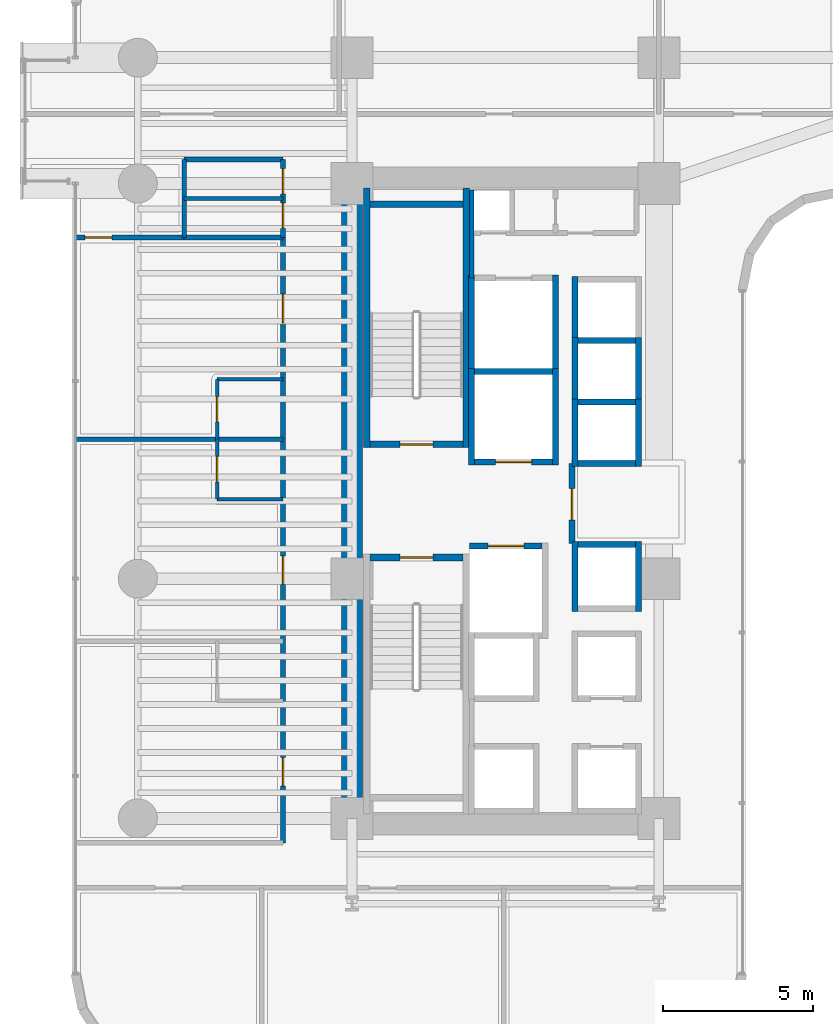
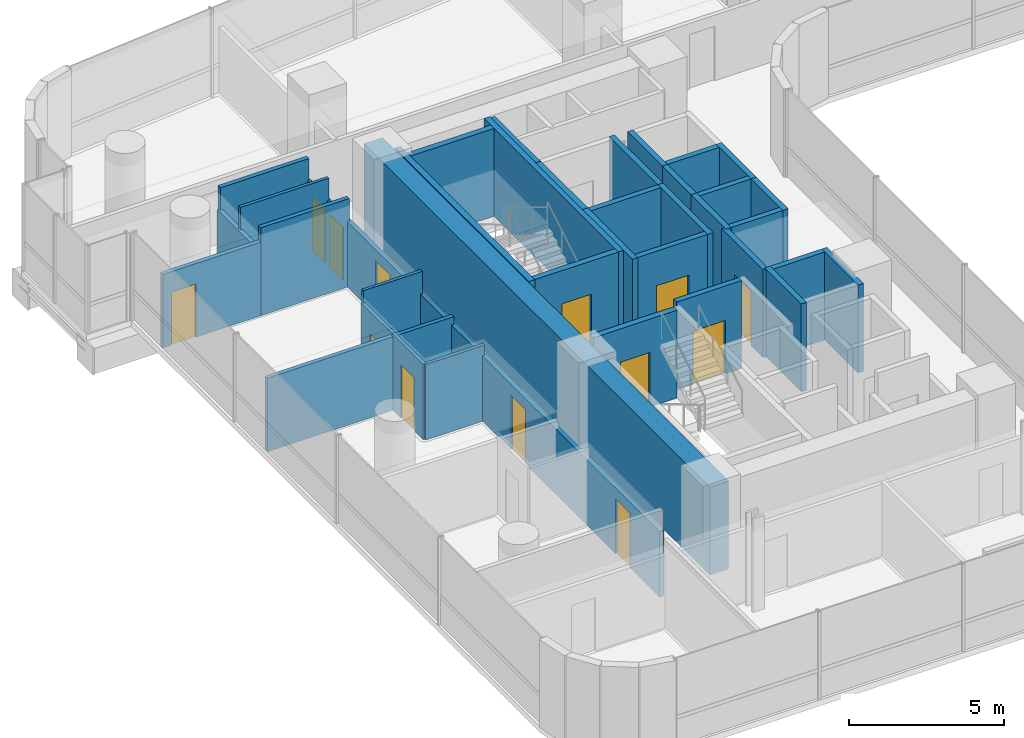
# One storey, part 32 of 41: 38 walls, 13 doors, 13 openings.
"""IFC4 building model written with IfcOpenShell, lengths in metres."""

from ifc_helpers import new_model, si_unit, direction, frame, frame_2d, origin, place, context, subcontext, project, spatial, rectangle, extrude, material, layer, layer_set, type_object, element, fill, save


model = new_model("IFC4")

# Units and contexts
model_context = context("Model", 3, precision=1e-05, world=origin(), true_north=direction((0.0, 1.0)))
body_context = subcontext(model_context, "Body", "Model", "MODEL_VIEW")
ifc_project = project(units=[si_unit("LENGTHUNIT", "METRE"), si_unit("AREAUNIT", "SQUARE_METRE"), si_unit("VOLUMEUNIT", "CUBIC_METRE"), si_unit("PLANEANGLEUNIT", "RADIAN"), si_unit("MASSUNIT", "GRAM", prefix="KILO")], contexts=[model_context])

# Site, building, storey
site_placement = place(None, origin())
site = spatial("IfcSite", under=ifc_project, at=site_placement, CompositionType="ELEMENT")
building_placement = place(site_placement, origin())
building = spatial("IfcBuilding", under=site, at=building_placement, Name="Valdorenza Pilgrim Sanctuary Tower", CompositionType="ELEMENT")
storey_placement = place(building_placement, frame((0.0, 0.0, 88.89990234375)))
storey = spatial("IfcBuildingStorey", under=building, at=storey_placement, Name="L22", CompositionType="ELEMENT", Elevation=88.89990234375)

# Walls
ifc_material_1 = material(Name="Acoustic twin-stud gypsum partition", Category="gypsum")
ifc_layer_1 = layer(ifc_material_1, 0.159912109375, Name="Acoustic twin-stud gypsum partition")
ifc_layer_set_1 = layer_set([ifc_layer_1], Name="Acoustic twin-stud gypsum partition")
wall_type_1 = type_object("IfcWallType", Name="WAL-COR-160", PredefinedType="PARTITIONING", material=ifc_layer_set_1)
wall_1_placement = place(storey_placement, frame((-18.64990234375, 7.449951171875, 0.0), z_axis=(0.0, 0.0, 1.0), x_axis=(0.0, 1.0, 0.0)))
element("IfcWall", 1, at=wall_1_placement, inside=storey, type_object=wall_type_1, Name="L22 Core A North Service West Wall", PredefinedType="PARTITIONING", context=body_context, shape_type="SweptSolid", body=[
    extrude(rectangle(XDim=2.929931640625, YDim=0.159912109375, at=frame_2d((1.46484375, 0.0))), origin(), (0.0, 0.0, 1.0), 3.460205078125),
])
wall_2_placement = place(storey_placement, frame((-28.25, 8.800048828125, 0.0), z_axis=(0.0, 0.0, 1.0), x_axis=(0.0, 1.0, 0.0)))
element("IfcWall", 2, at=wall_2_placement, inside=storey, type_object=wall_type_1, Name="L22 Washroom West Wall", PredefinedType="PARTITIONING", context=body_context, shape_type="SweptSolid", body=[
    extrude(rectangle(XDim=2.599853515625, YDim=0.159912109375, at=frame_2d((1.2998046875, 0.0))), origin(), (0.0, 0.0, 1.0), 2.5830078125),
])

# Wall, openings, doors
wall_3_placement = place(storey_placement, frame((-24.949951171875, 8.800048828125, 0.0), z_axis=(0.0, 0.0, 1.0), x_axis=(0.0, 1.0, 0.0)))
wall_3 = element("IfcWall", 3, at=wall_3_placement, inside=storey, type_object=wall_type_1, Name="L22 Washroom East Wall", PredefinedType="PARTITIONING", context=body_context, shape_type="SweptSolid", body=[
    extrude(rectangle(XDim=2.599853515625, YDim=0.159912109375, at=frame_2d((1.2998046875, 0.0))), origin(), (0.0, 0.0, 1.0), 2.5830078125),
])
opening_1_placement = place(wall_3_placement, frame((0.300048828125, 0.0, 0.0)))
opening_1 = element("IfcOpeningElement", 4, at=opening_1_placement, cuts=wall_3, Name="Opening DR-WC1", PredefinedType="OPENING", context=body_context, shape_type="SweptSolid", body=[
    extrude(rectangle(XDim=0.85009765625, YDim=2.10009765625, at=frame_2d((0.425048828125, 1.050048828125))), frame((0.0, 0.0947265625, 0.0), z_axis=(0.0, -1.0, 0.0), x_axis=(1.0, 0.0, 0.0)), (0.0, 0.0, 1.0), 0.189697265625),
])
opening_2_placement = place(wall_3_placement, frame((1.449951171875, 0.0, 0.0)))
opening_2 = element("IfcOpeningElement", 5, at=opening_2_placement, cuts=wall_3, Name="Opening DR-WC1", PredefinedType="OPENING", context=body_context, shape_type="SweptSolid", body=[
    extrude(rectangle(XDim=0.85009765625, YDim=2.10009765625, at=frame_2d((0.425048828125, 1.050048828125))), frame((0.0, 0.0947265625, 0.0), z_axis=(0.0, -1.0, 0.0), x_axis=(1.0, 0.0, 0.0)), (0.0, 0.0, 1.0), 0.189697265625),
])
ifc_material_2 = material(Name="Moisture-resistant lacquered timber", Category="wood")
door_type_1 = type_object("IfcDoorType", Name="DR-BATH-850", OperationType="NOTDEFINED", PredefinedType="DOOR", material=ifc_material_2)
door_1_placement = place(opening_1_placement, origin())
door_1 = element("IfcDoor", 6, at=door_1_placement, inside=storey, type_object=door_type_1, Name="L22 Accessible Washroom Door", OperationType="SINGLE_SWING_RIGHT", OverallHeight=2.10009765625, OverallWidth=0.85009765625, PredefinedType="DOOR", context=body_context, shape_type="SweptSolid", body=[
    extrude(rectangle(XDim=0.85009765625, YDim=2.10009765625, at=frame_2d((0.425048828125, 1.050048828125))), frame((0.0, 0.02490234375, 0.0), z_axis=(0.0, -1.0, 0.0), x_axis=(1.0, 0.0, 0.0)), (0.0, 0.0, 1.0), 0.050048828125),
])
fill(opening_1, door_1)
door_2_placement = place(opening_2_placement, origin())
door_2 = element("IfcDoor", 7, at=door_2_placement, inside=storey, type_object=door_type_1, Name="L22 Public Washroom Door", OperationType="SINGLE_SWING_LEFT", OverallHeight=2.10009765625, OverallWidth=0.85009765625, PredefinedType="DOOR", context=body_context, shape_type="SweptSolid", body=[
    extrude(rectangle(XDim=0.85009765625, YDim=2.10009765625, at=frame_2d((0.425048828125, 1.050048828125))), frame((0.0, 0.02490234375, 0.0), z_axis=(0.0, -1.0, 0.0), x_axis=(1.0, 0.0, 0.0)), (0.0, 0.0, 1.0), 0.050048828125),
])
fill(opening_2, door_2)

# Walls
for number, where, z_axis, x_axis, name in (
    (8, (-28.25, 8.800048828125, 0.0), (0.0, 0.0, 1.0), (1.0, 0.0, 0.0), "L22 Washroom South Wall"),
    (9, (-28.25, 11.39990234375, 0.0), (0.0, 0.0, 1.0), (1.0, 0.0, 0.0), "L22 Washroom North Wall"),
):
    element("IfcWall", number, at=place(storey_placement, frame(where, z_axis=z_axis, x_axis=x_axis)), inside=storey, type_object=wall_type_1, Name=name, PredefinedType="PARTITIONING", context=body_context, shape_type="SweptSolid", body=[
        extrude(rectangle(XDim=3.300048828125, YDim=0.159912109375, at=frame_2d((1.64990234375, 0.0))), origin(), (0.0, 0.0, 1.0), 3.460205078125),
    ])

# Wall, openings, doors
wall_4_placement = place(storey_placement, frame((-24.949951171875, -11.419921875, 0.0), z_axis=(0.0, 0.0, 1.0), x_axis=(0.0, 1.0, 0.0)))
wall_4 = element("IfcWall", 10, at=wall_4_placement, inside=storey, type_object=wall_type_1, Name="L22 West Wing Corridor Wall", PredefinedType="PARTITIONING", context=body_context, shape_type="SweptSolid", body=[
    extrude(rectangle(XDim=20.219970703125, YDim=0.159912109375, at=frame_2d((10.10986328125, 0.0))), origin(), (0.0, 0.0, 1.0), 2.5830078125),
])
opening_3_placement = place(wall_4_placement, frame((1.89501953125, 0.0, 0.0)))
opening_3 = element("IfcOpeningElement", 11, at=opening_3_placement, cuts=wall_4, Name="Opening DR-UN1", PredefinedType="OPENING", context=body_context, shape_type="SweptSolid", body=[
    extrude(rectangle(XDim=0.949951171875, YDim=2.14990234375, at=frame_2d((0.47509765625, 1.074951171875))), frame((0.0, 0.0947265625, 0.0), z_axis=(0.0, -1.0, 0.0), x_axis=(1.0, 0.0, 0.0)), (0.0, 0.0, 1.0), 0.189697265625),
])
opening_4_placement = place(wall_4_placement, frame((8.635009765625, 0.0, 0.0)))
opening_4 = element("IfcOpeningElement", 12, at=opening_4_placement, cuts=wall_4, Name="Opening DR-UN1", PredefinedType="OPENING", context=body_context, shape_type="SweptSolid", body=[
    extrude(rectangle(XDim=0.949951171875, YDim=2.14990234375, at=frame_2d((0.47509765625, 1.074951171875))), frame((0.0, 0.0947265625, 0.0), z_axis=(0.0, -1.0, 0.0), x_axis=(1.0, 0.0, 0.0)), (0.0, 0.0, 1.0), 0.189697265625),
])
opening_5_placement = place(wall_4_placement, frame((17.375, 0.0, 0.0)))
opening_5 = element("IfcOpeningElement", 13, at=opening_5_placement, cuts=wall_4, Name="Opening DR-UN1", PredefinedType="OPENING", context=body_context, shape_type="SweptSolid", body=[
    extrude(rectangle(XDim=0.949951171875, YDim=2.14990234375, at=frame_2d((0.47509765625, 1.074951171875))), frame((0.0, 0.0947265625, 0.0), z_axis=(0.0, -1.0, 0.0), x_axis=(1.0, 0.0, 0.0)), (0.0, 0.0, 1.0), 0.189697265625),
])
ifc_material_3 = material(Name="Solid-core European oak timber", Category="wood")
door_type_2 = type_object("IfcDoorType", Name="DR-UNIT-950", OperationType="NOTDEFINED", PredefinedType="DOOR", material=ifc_material_3)
door_3_placement = place(opening_3_placement, frame((0.949951171875, 0.0, 0.0), z_axis=(0.0, 0.0, 1.0), x_axis=(-1.0, 0.0, 0.0)))
door_3 = element("IfcDoor", 14, at=door_3_placement, inside=storey, type_object=door_type_2, Name="L22 Sanctuary Guest Room L22-W1 Entrance Door", OperationType="SINGLE_SWING_LEFT", OverallHeight=2.14990234375, OverallWidth=0.949951171875, PredefinedType="DOOR", context=body_context, shape_type="SweptSolid", body=[
    extrude(rectangle(XDim=0.949951171875, YDim=2.14990234375, at=frame_2d((0.47509765625, 1.074951171875))), frame((0.0, 0.02490234375, 0.0), z_axis=(0.0, -1.0, 0.0), x_axis=(1.0, 0.0, 0.0)), (0.0, 0.0, 1.0), 0.050048828125),
])
fill(opening_3, door_3)
door_4_placement = place(opening_4_placement, frame((0.949951171875, 0.0, 0.0), z_axis=(0.0, 0.0, 1.0), x_axis=(-1.0, 0.0, 0.0)))
door_4 = element("IfcDoor", 15, at=door_4_placement, inside=storey, type_object=door_type_2, Name="L22 Sanctuary Guest Room L22-W2 Entrance Door", OperationType="SINGLE_SWING_LEFT", OverallHeight=2.14990234375, OverallWidth=0.949951171875, PredefinedType="DOOR", context=body_context, shape_type="SweptSolid", body=[
    extrude(rectangle(XDim=0.949951171875, YDim=2.14990234375, at=frame_2d((0.47509765625, 1.074951171875))), frame((0.0, 0.02490234375, 0.0), z_axis=(0.0, -1.0, 0.0), x_axis=(1.0, 0.0, 0.0)), (0.0, 0.0, 1.0), 0.050048828125),
])
fill(opening_4, door_4)
door_5_placement = place(opening_5_placement, frame((0.949951171875, 0.0, 0.0), z_axis=(0.0, 0.0, 1.0), x_axis=(-1.0, 0.0, 0.0)))
door_5 = element("IfcDoor", 16, at=door_5_placement, inside=storey, type_object=door_type_2, Name="L22 Sanctuary Guest Room L22-W3 Entrance Door", OperationType="SINGLE_SWING_LEFT", OverallHeight=2.14990234375, OverallWidth=0.949951171875, PredefinedType="DOOR", context=body_context, shape_type="SweptSolid", body=[
    extrude(rectangle(XDim=0.949951171875, YDim=2.14990234375, at=frame_2d((0.47509765625, 1.074951171875))), frame((0.0, 0.02490234375, 0.0), z_axis=(0.0, -1.0, 0.0), x_axis=(1.0, 0.0, 0.0)), (0.0, 0.0, 1.0), 0.050048828125),
])
fill(opening_5, door_5)

# Wall, opening, door
wall_5_placement = place(storey_placement, frame((-31.889892578125, 8.800048828125, 0.0), z_axis=(0.0, 0.0, 1.0), x_axis=(1.0, 0.0, 0.0)))
wall_5 = element("IfcWall", 17, at=wall_5_placement, inside=storey, type_object=wall_type_1, Name="L22 West North Alcove Wall", PredefinedType="PARTITIONING", context=body_context, shape_type="SweptSolid", body=[
    extrude(rectangle(XDim=3.639892578125, YDim=0.159912109375, at=frame_2d((1.81982421875, 0.0))), origin(), (0.0, 0.0, 1.0), 2.89599609375),
])
opening_6_placement = place(wall_5_placement, frame((0.320068359375, 0.0, 0.0)))
opening_6 = element("IfcOpeningElement", 18, at=opening_6_placement, cuts=wall_5, Name="Opening DR-RM1", PredefinedType="OPENING", context=body_context, shape_type="SweptSolid", body=[
    extrude(rectangle(XDim=0.89990234375, YDim=2.10009765625, at=frame_2d((0.449951171875, 1.050048828125))), frame((0.0, 0.0947265625, 0.0), z_axis=(0.0, -1.0, 0.0), x_axis=(1.0, 0.0, 0.0)), (0.0, 0.0, 1.0), 0.189697265625),
])
door_type_3 = type_object("IfcDoorType", Name="DR-ROOM-900", OperationType="NOTDEFINED", PredefinedType="DOOR", material=ifc_material_3)
door_6_placement = place(opening_6_placement, origin())
door_6 = element("IfcDoor", 19, at=door_6_placement, inside=storey, type_object=door_type_3, Name="L22 Pilgrim Scholar Office L22-WN Door", OperationType="SINGLE_SWING_RIGHT", OverallHeight=2.10009765625, OverallWidth=0.89990234375, PredefinedType="DOOR", context=body_context, shape_type="SweptSolid", body=[
    extrude(rectangle(XDim=0.89990234375, YDim=2.10009765625, at=frame_2d((0.449951171875, 1.050048828125))), frame((0.0, 0.02490234375, 0.0), z_axis=(0.0, -1.0, 0.0), x_axis=(1.0, 0.0, 0.0)), (0.0, 0.0, 1.0), 0.050048828125),
])
fill(opening_6, door_6)

# Wall
ifc_material_4 = material(Name="Concrete C60/75", Category="concrete")
ifc_layer_2 = layer(ifc_material_4, 0.699951171875, Name="Concrete C60/75")
ifc_layer_set_2 = layer_set([ifc_layer_2], Name="Concrete C60/75")
wall_type_2 = type_object("IfcWallType", Name="WAL-COR-700", PredefinedType="SHEAR", material=ifc_layer_set_2)
wall_6_placement = place(storey_placement, frame((-22.64990234375, -11.14990234375, 0.0), z_axis=(0.0, 0.0, 1.0), x_axis=(0.0, 1.0, 0.0)))
element("IfcWall", 20, at=wall_6_placement, inside=storey, type_object=wall_type_2, Name="L22 Split Core A Shear Wall W", PredefinedType="SHEAR", context=body_context, shape_type="SweptSolid", body=[
    extrude(rectangle(XDim=22.2998046875, YDim=0.699951171875, at=frame_2d((11.14990234375, 0.0))), origin(), (0.0, 0.0, 1.0), 3.460205078125),
])

# Wall, opening, door
ifc_material_5 = material(Name="Gypsum shaftwall partition", Category="gypsum")
ifc_layer_3 = layer(ifc_material_5, 0.199951171875, Name="Gypsum shaftwall partition")
ifc_layer_set_3 = layer_set([ifc_layer_3], Name="Gypsum shaftwall partition")
wall_type_3 = type_object("IfcWallType", Name="WAL-FFL-200", PredefinedType="PARTITIONING", material=ifc_layer_set_3)
wall_7_placement = place(storey_placement, frame((-15.300048828125, -1.419921875, 0.0), z_axis=(0.0, 0.0, 1.0), x_axis=(0.0, 1.0, 0.0)))
wall_7 = element("IfcWall", 21, at=wall_7_placement, inside=storey, type_object=wall_type_3, Name="L22 Core A Firefighting Lobby East Wall", PredefinedType="PARTITIONING", context=body_context, shape_type="SweptSolid", body=[
    extrude(rectangle(XDim=2.669921875, YDim=0.199951171875, at=frame_2d((1.3349609375, 0.0))), origin(), (0.0, 0.0, 1.0), 3.460205078125),
])
opening_7_placement = place(wall_7_placement, frame((0.780029296875, 0.0, 0.0)))
opening_7 = element("IfcOpeningElement", 22, at=opening_7_placement, cuts=wall_7, Name="Opening DR-FL1", PredefinedType="OPENING", context=body_context, shape_type="SweptSolid", body=[
    extrude(rectangle(XDim=1.050048828125, YDim=2.14990234375, at=frame_2d((0.52490234375, 1.074951171875))), frame((0.0, 0.11474609375, 0.0), z_axis=(0.0, -1.0, 0.0), x_axis=(1.0, 0.0, 0.0)), (0.0, 0.0, 1.0), 0.229736328125),
])
ifc_material_6 = material(Name="Painted galvanized steel", Category="steel")
door_type_4 = type_object("IfcDoorType", Name="DR-FFL-1050", OperationType="NOTDEFINED", PredefinedType="DOOR", material=ifc_material_6)
door_7_placement = place(opening_7_placement, origin())
door_7 = element("IfcDoor", 23, at=door_7_placement, inside=storey, type_object=door_type_4, Name="L22 Core A Firefighting Lobby Door", OperationType="SINGLE_SWING_RIGHT", OverallHeight=2.14990234375, OverallWidth=1.050048828125, PredefinedType="DOOR", context=body_context, shape_type="SweptSolid", body=[
    extrude(rectangle(XDim=1.050048828125, YDim=2.14990234375, at=frame_2d((0.52490234375, 1.074951171875))), frame((0.0, 0.02490234375, 0.0), z_axis=(0.0, -1.0, 0.0), x_axis=(1.0, 0.0, 0.0)), (0.0, 0.0, 1.0), 0.050048828125),
])
fill(opening_7, door_7)

# Walls
ifc_material_7 = material(Name="Moisture-resistant gypsum partition", Category="gypsum")
ifc_layer_4 = layer(ifc_material_7, 0.1201171875, Name="Moisture-resistant gypsum partition")
ifc_layer_set_4 = layer_set([ifc_layer_4], Name="Moisture-resistant gypsum partition")
wall_type_4 = type_object("IfcWallType", Name="WAL-INT-120", PredefinedType="PARTITIONING", material=ifc_layer_set_4)
wall_8_placement = place(storey_placement, frame((-28.25, 10.10009765625, 0.0), z_axis=(0.0, 0.0, 1.0), x_axis=(1.0, 0.0, 0.0)))
element("IfcWall", 24, at=wall_8_placement, inside=storey, type_object=wall_type_4, Name="L22 Washroom Divider Wall", PredefinedType="PARTITIONING", context=body_context, shape_type="SweptSolid", body=[
    extrude(rectangle(XDim=3.300048828125, YDim=0.1201171875, at=frame_2d((1.64990234375, 0.0))), origin(), (0.0, 0.0, 1.0), 3.460205078125),
])
wall_9_placement = place(storey_placement, frame((-27.14990234375, 0.06005859375, 0.0), z_axis=(0.0, 0.0, 1.0), x_axis=(1.0, 0.0, 0.0)))
element("IfcWall", 25, at=wall_9_placement, inside=storey, type_object=wall_type_4, Name="L22 Sanctuary Guest Room L22-W2 En-suite South Wall", PredefinedType="PARTITIONING", context=body_context, shape_type="SweptSolid", body=[
    extrude(rectangle(XDim=2.199951171875, YDim=0.1201171875, at=frame_2d((1.10009765625, 0.0))), origin(), (0.0, 0.0, 1.0), 2.97900390625),
])

# Wall, opening, door
wall_10_placement = place(storey_placement, frame((-27.14990234375, 0.06005859375, 0.0), z_axis=(0.0, 0.0, 1.0), x_axis=(0.0, 1.0, 0.0)))
wall_10 = element("IfcWall", 26, at=wall_10_placement, inside=storey, type_object=wall_type_4, Name="L22 Sanctuary Guest Room L22-W2 En-suite Door Wall", PredefinedType="PARTITIONING", context=body_context, shape_type="SweptSolid", body=[
    extrude(rectangle(XDim=2.0, YDim=0.1201171875, at=frame_2d((1.0, 0.0))), origin(), (0.0, 0.0, 1.0), 2.97900390625),
])
opening_8_placement = place(wall_10_placement, frame((0.574951171875, 0.0, 0.0)))
opening_8 = element("IfcOpeningElement", 27, at=opening_8_placement, cuts=wall_10, Name="Opening DR-WC1", PredefinedType="OPENING", context=body_context, shape_type="SweptSolid", body=[
    extrude(rectangle(XDim=0.85009765625, YDim=2.10009765625, at=frame_2d((0.425048828125, 1.050048828125))), frame((0.0, 0.074951171875, 0.0), z_axis=(0.0, -1.0, 0.0), x_axis=(1.0, 0.0, 0.0)), (0.0, 0.0, 1.0), 0.14990234375),
])
door_8_placement = place(opening_8_placement, origin())
door_8 = element("IfcDoor", 28, at=door_8_placement, inside=storey, type_object=door_type_1, Name="L22 Sanctuary Guest Room L22-W2 En-suite Bathroom Door", OperationType="SINGLE_SWING_RIGHT", OverallHeight=2.10009765625, OverallWidth=0.85009765625, PredefinedType="DOOR", context=body_context, shape_type="SweptSolid", body=[
    extrude(rectangle(XDim=0.85009765625, YDim=2.10009765625, at=frame_2d((0.425048828125, 1.050048828125))), frame((0.0, 0.02490234375, 0.0), z_axis=(0.0, -1.0, 0.0), x_axis=(1.0, 0.0, 0.0)), (0.0, 0.0, 1.0), 0.050048828125),
])
fill(opening_8, door_8)

# Wall
wall_11_placement = place(storey_placement, frame((-27.14990234375, 4.06005859375, 0.0), z_axis=(0.0, 0.0, 1.0), x_axis=(1.0, 0.0, 0.0)))
element("IfcWall", 29, at=wall_11_placement, inside=storey, type_object=wall_type_4, Name="L22 Sanctuary Guest Room L22-W3 En-suite North Wall", PredefinedType="PARTITIONING", context=body_context, shape_type="SweptSolid", body=[
    extrude(rectangle(XDim=2.199951171875, YDim=0.1201171875, at=frame_2d((1.10009765625, 0.0))), origin(), (0.0, 0.0, 1.0), 3.460205078125),
])

# Wall, opening, door
wall_12_placement = place(storey_placement, frame((-27.14990234375, 2.06005859375, 0.0), z_axis=(0.0, 0.0, 1.0), x_axis=(0.0, 1.0, 0.0)))
wall_12 = element("IfcWall", 30, at=wall_12_placement, inside=storey, type_object=wall_type_4, Name="L22 Sanctuary Guest Room L22-W3 En-suite Door Wall", PredefinedType="PARTITIONING", context=body_context, shape_type="SweptSolid", body=[
    extrude(rectangle(XDim=2.0, YDim=0.1201171875, at=frame_2d((1.0, 0.0))), origin(), (0.0, 0.0, 1.0), 2.97900390625),
])
opening_9_placement = place(wall_12_placement, frame((0.574951171875, 0.0, 0.0)))
opening_9 = element("IfcOpeningElement", 31, at=opening_9_placement, cuts=wall_12, Name="Opening DR-WC1", PredefinedType="OPENING", context=body_context, shape_type="SweptSolid", body=[
    extrude(rectangle(XDim=0.85009765625, YDim=2.10009765625, at=frame_2d((0.425048828125, 1.050048828125))), frame((0.0, 0.074951171875, 0.0), z_axis=(0.0, -1.0, 0.0), x_axis=(1.0, 0.0, 0.0)), (0.0, 0.0, 1.0), 0.14990234375),
])
door_9_placement = place(opening_9_placement, origin())
door_9 = element("IfcDoor", 32, at=door_9_placement, inside=storey, type_object=door_type_1, Name="L22 Sanctuary Guest Room L22-W3 En-suite Bathroom Door", OperationType="SINGLE_SWING_RIGHT", OverallHeight=2.10009765625, OverallWidth=0.85009765625, PredefinedType="DOOR", context=body_context, shape_type="SweptSolid", body=[
    extrude(rectangle(XDim=0.85009765625, YDim=2.10009765625, at=frame_2d((0.425048828125, 1.050048828125))), frame((0.0, 0.02490234375, 0.0), z_axis=(0.0, -1.0, 0.0), x_axis=(1.0, 0.0, 0.0)), (0.0, 0.0, 1.0), 0.050048828125),
])
fill(opening_9, door_9)

# Walls
ifc_material_8 = material(Name="Autoclaved aerated concrete blockwork", Category="masonry")
ifc_layer_5 = layer(ifc_material_8, 0.199951171875, Name="Autoclaved aerated concrete blockwork")
ifc_layer_set_5 = layer_set([ifc_layer_5], Name="Autoclaved aerated concrete blockwork")
wall_type_5 = type_object("IfcWallType", Name="WAL-SHF-200", PredefinedType="MOVABLE", material=ifc_layer_set_5)
for number, where, z_axis, x_axis, name in (
    (33, (-18.64990234375, 1.199951171875, 0.0), (0.0, 0.0, 1.0), (0.0, 1.0, 0.0), "L22 Lift FFL-01 Hoistway Wall West"),
    (34, (-15.85009765625, 1.199951171875, 0.0), (0.0, 0.0, 1.0), (0.0, 1.0, 0.0), "L22 Lift FFL-01 Hoistway Wall East"),
):
    element("IfcWall", number, at=place(storey_placement, frame(where, z_axis=z_axis, x_axis=x_axis)), inside=storey, type_object=wall_type_5, Name=name, PredefinedType="MOVABLE", context=body_context, shape_type="SweptSolid", body=[
        extrude(rectangle(XDim=3.22509765625, YDim=0.199951171875, at=frame_2d((1.612548828125, 0.0))), origin(), (0.0, 0.0, 1.0), 3.460205078125),
    ])

# Wall, opening, door
wall_13_placement = place(storey_placement, frame((-18.550048828125, 1.300048828125, 0.0), z_axis=(0.0, 0.0, 1.0), x_axis=(1.0, 0.0, 0.0)))
wall_13 = element("IfcWall", 35, at=wall_13_placement, inside=storey, type_object=wall_type_5, Name="L22 Lift FFL-01 Hoistway Wall South", PredefinedType="MOVABLE", context=body_context, shape_type="SweptSolid", body=[
    extrude(rectangle(XDim=2.60009765625, YDim=0.199951171875, at=frame_2d((1.300048828125, 0.0))), origin(), (0.0, 0.0, 1.0), 3.460205078125),
])
opening_10_placement = place(wall_13_placement, frame((0.699951171875, 0.0, 0.0)))
opening_10 = element("IfcOpeningElement", 36, at=opening_10_placement, cuts=wall_13, Name="Opening LD-02", PredefinedType="OPENING", context=body_context, shape_type="SweptSolid", body=[
    extrude(rectangle(XDim=1.199951171875, YDim=2.10009765625, at=frame_2d((0.60009765625, 1.050048828125))), frame((0.0, 0.11474609375, 0.0), z_axis=(0.0, -1.0, 0.0), x_axis=(1.0, 0.0, 0.0)), (0.0, 0.0, 1.0), 0.229736328125),
])
ifc_material_9 = material(Name="Brushed stainless steel Grade 316", Category="steel")
door_type_5 = type_object("IfcDoorType", Name="DR-LFT-1200", OperationType="DOUBLE_DOOR_SLIDING", PredefinedType="DOOR", material=ifc_material_9)
door_10_placement = place(opening_10_placement, origin())
door_10 = element("IfcDoor", 37, at=door_10_placement, inside=storey, type_object=door_type_5, Name="L22 Lift FFL-01 Sliding Landing Door", OperationType="DOUBLE_DOOR_SLIDING", OverallHeight=2.10009765625, OverallWidth=1.199951171875, PredefinedType="DOOR", context=body_context, shape_type="SweptSolid", body=[
    extrude(rectangle(XDim=1.199951171875, YDim=2.10009765625, at=frame_2d((0.60009765625, 1.050048828125))), frame((0.0, 0.02490234375, 0.0), z_axis=(0.0, -1.0, 0.0), x_axis=(1.0, 0.0, 0.0)), (0.0, 0.0, 1.0), 0.050048828125),
])
fill(opening_10, door_10)

# Wall
wall_14_placement = place(storey_placement, frame((-18.550048828125, 4.324951171875, 0.0), z_axis=(0.0, 0.0, 1.0), x_axis=(1.0, 0.0, 0.0)))
element("IfcWall", 38, at=wall_14_placement, inside=storey, type_object=wall_type_5, Name="L22 Lift FFL-01 Hoistway Wall North", PredefinedType="MOVABLE", context=body_context, shape_type="SweptSolid", body=[
    extrude(rectangle(XDim=2.60009765625, YDim=0.199951171875, at=frame_2d((1.300048828125, 0.0))), origin(), (0.0, 0.0, 1.0), 3.460205078125),
])

# Wall, opening, door
wall_15_placement = place(storey_placement, frame((-18.719970703125, -1.5, 0.0), z_axis=(0.0, 0.0, 1.0), x_axis=(1.0, 0.0, 0.0)))
wall_15 = element("IfcWall", 39, at=wall_15_placement, inside=storey, type_object=wall_type_5, Name="L22 Lift FFL-02 Hoistway Wall North", PredefinedType="MOVABLE", context=body_context, shape_type="SweptSolid", body=[
    extrude(rectangle(XDim=2.419921875, YDim=0.199951171875, at=frame_2d((1.2099609375, 0.0))), origin(), (0.0, 0.0, 1.0), 3.460205078125),
])
opening_11_placement = place(wall_15_placement, frame((0.610107421875, 0.0, 0.0)))
opening_11 = element("IfcOpeningElement", 40, at=opening_11_placement, cuts=wall_15, Name="Opening LD-02", PredefinedType="OPENING", context=body_context, shape_type="SweptSolid", body=[
    extrude(rectangle(XDim=1.199951171875, YDim=2.10009765625, at=frame_2d((0.60009765625, 1.050048828125))), frame((0.0, 0.11474609375, 0.0), z_axis=(0.0, -1.0, 0.0), x_axis=(1.0, 0.0, 0.0)), (0.0, 0.0, 1.0), 0.229736328125),
])
door_11_placement = place(opening_11_placement, origin())
door_11 = element("IfcDoor", 41, at=door_11_placement, inside=storey, type_object=door_type_5, Name="L22 Lift FFL-02 Sliding Landing Door", OperationType="DOUBLE_DOOR_SLIDING", OverallHeight=2.10009765625, OverallWidth=1.199951171875, PredefinedType="DOOR", context=body_context, shape_type="SweptSolid", body=[
    extrude(rectangle(XDim=1.199951171875, YDim=2.10009765625, at=frame_2d((0.60009765625, 1.050048828125))), frame((0.0, 0.02490234375, 0.0), z_axis=(0.0, -1.0, 0.0), x_axis=(1.0, 0.0, 0.0)), (0.0, 0.0, 1.0), 0.050048828125),
])
fill(opening_11, door_11)

# Walls
for number, where, z_axis, x_axis, name in (
    (42, (-18.64990234375, 4.22509765625, 0.0), (0.0, 0.0, 1.0), (0.0, 1.0, 0.0), "L22 Lift SVL-01 Hoistway Wall West"),
    (43, (-15.85009765625, 4.22509765625, 0.0), (0.0, 0.0, 1.0), (0.0, 1.0, 0.0), "L22 Lift SVL-01 Hoistway Wall East"),
):
    element("IfcWall", number, at=place(storey_placement, frame(where, z_axis=z_axis, x_axis=x_axis)), inside=storey, type_object=wall_type_5, Name=name, PredefinedType="MOVABLE", context=body_context, shape_type="SweptSolid", body=[
        extrude(rectangle(XDim=3.324951171875, YDim=0.199951171875, at=frame_2d((1.66259765625, 0.0))), origin(), (0.0, 0.0, 1.0), 3.460205078125),
    ])
for number, where, z_axis, x_axis, name in (
    (44, (-15.199951171875, 1.14990234375, 0.0), (0.0, 0.0, 1.0), (0.0, 1.0, 0.0), "L22 Lift PL-06 Hoistway Wall West"),
    (45, (-13.080078125, 1.14990234375, 0.0), (0.0, 0.0, 1.0), (0.0, 1.0, 0.0), "L22 Lift PL-06 Hoistway Wall East"),
):
    element("IfcWall", number, at=place(storey_placement, frame(where, z_axis=z_axis, x_axis=x_axis)), inside=storey, type_object=wall_type_5, Name=name, PredefinedType="MOVABLE", context=body_context, shape_type="SweptSolid", body=[
        extrude(rectangle(XDim=2.25, YDim=0.199951171875, at=frame_2d((1.125, 0.0))), origin(), (0.0, 0.0, 1.0), 3.460205078125),
    ])
wall_16_placement = place(storey_placement, frame((-15.10009765625, 1.25, 0.0), z_axis=(0.0, 0.0, 1.0), x_axis=(1.0, 0.0, 0.0)))
element("IfcWall", 46, at=wall_16_placement, inside=storey, type_object=wall_type_5, Name="L22 Lift PL-06 Hoistway Wall South", PredefinedType="MOVABLE", context=body_context, shape_type="SweptSolid", body=[
    extrude(rectangle(XDim=1.920166015625, YDim=0.199951171875, at=frame_2d((0.9599609375, 0.0))), origin(), (0.0, 0.0, 1.0), 3.460205078125),
])
for number, where, z_axis, x_axis, name in (
    (47, (-15.199951171875, 3.199951171875, 0.0), (0.0, 0.0, 1.0), (0.0, 1.0, 0.0), "L22 Lift PL-09 Hoistway Wall West"),
    (48, (-13.080078125, 3.199951171875, 0.0), (0.0, 0.0, 1.0), (0.0, 1.0, 0.0), "L22 Lift PL-09 Hoistway Wall East"),
):
    element("IfcWall", number, at=place(storey_placement, frame(where, z_axis=z_axis, x_axis=x_axis)), inside=storey, type_object=wall_type_5, Name=name, PredefinedType="MOVABLE", context=body_context, shape_type="SweptSolid", body=[
        extrude(rectangle(XDim=2.25, YDim=0.199951171875, at=frame_2d((1.125, 0.0))), origin(), (0.0, 0.0, 1.0), 3.460205078125),
    ])
for number, where, z_axis, x_axis, name in (
    (49, (-15.10009765625, 3.300048828125, 0.0), (0.0, 0.0, 1.0), (1.0, 0.0, 0.0), "L22 Lift PL-09 Hoistway Wall South"),
    (50, (-15.10009765625, 5.35009765625, 0.0), (0.0, 0.0, 1.0), (1.0, 0.0, 0.0), "L22 Lift PL-09 Hoistway Wall North"),
):
    element("IfcWall", number, at=place(storey_placement, frame(where, z_axis=z_axis, x_axis=x_axis)), inside=storey, type_object=wall_type_5, Name=name, PredefinedType="MOVABLE", context=body_context, shape_type="SweptSolid", body=[
        extrude(rectangle(XDim=1.920166015625, YDim=0.199951171875, at=frame_2d((0.9599609375, 0.0))), origin(), (0.0, 0.0, 1.0), 3.460205078125),
    ])
wall_17_placement = place(storey_placement, frame((-15.199951171875, 5.25, 0.0), z_axis=(0.0, 0.0, 1.0), x_axis=(0.0, 1.0, 0.0)))
element("IfcWall", 51, at=wall_17_placement, inside=storey, type_object=wall_type_5, Name="L22 Lift PL-10 Hoistway Wall West", PredefinedType="MOVABLE", context=body_context, shape_type="SweptSolid", body=[
    extrude(rectangle(XDim=2.25, YDim=0.199951171875, at=frame_2d((1.125, 0.0))), origin(), (0.0, 0.0, 1.0), 3.460205078125),
])
for number, where, z_axis, x_axis, name in (
    (52, (-15.199951171875, -3.699951171875, 0.0), (0.0, 0.0, 1.0), (0.0, 1.0, 0.0), "L22 Lift PL-12 Hoistway Wall West"),
    (53, (-13.080078125, -3.699951171875, 0.0), (0.0, 0.0, 1.0), (0.0, 1.0, 0.0), "L22 Lift PL-12 Hoistway Wall East"),
):
    element("IfcWall", number, at=place(storey_placement, frame(where, z_axis=z_axis, x_axis=x_axis)), inside=storey, type_object=wall_type_5, Name=name, PredefinedType="MOVABLE", context=body_context, shape_type="SweptSolid", body=[
        extrude(rectangle(XDim=2.349853515625, YDim=0.199951171875, at=frame_2d((1.1748046875, 0.0))), origin(), (0.0, 0.0, 1.0), 3.460205078125),
    ])
wall_18_placement = place(storey_placement, frame((-15.10009765625, -1.449951171875, 0.0), z_axis=(0.0, 0.0, 1.0), x_axis=(1.0, 0.0, 0.0)))
element("IfcWall", 54, at=wall_18_placement, inside=storey, type_object=wall_type_5, Name="L22 Lift PL-12 Hoistway Wall North", PredefinedType="MOVABLE", context=body_context, shape_type="SweptSolid", body=[
    extrude(rectangle(XDim=1.920166015625, YDim=0.199951171875, at=frame_2d((0.9599609375, 0.0))), origin(), (0.0, 0.0, 1.0), 3.460205078125),
])
ifc_material_10 = material(Name="Concrete C40/50", Category="concrete")
ifc_layer_6 = layer(ifc_material_10, 0.219970703125, Name="Concrete C40/50")
ifc_layer_set_6 = layer_set([ifc_layer_6], Name="Concrete C40/50")
wall_type_6 = type_object("IfcWallType", Name="WAL-STR-SHF-220", PredefinedType="SHEAR", material=ifc_layer_set_6)
for number, where, z_axis, x_axis, name in (
    (55, (-22.159912109375, 1.780029296875, 0.0), (0.0, 0.0, 1.0), (0.0, 1.0, 0.0), "L22 ST-A1 Structural Stairwell Wall W"),
    (56, (-18.830078125, 1.780029296875, 0.0), (0.0, 0.0, 1.0), (0.0, 1.0, 0.0), "L22 ST-A1 Structural Stairwell Wall E"),
):
    element("IfcWall", number, at=place(storey_placement, frame(where, z_axis=z_axis, x_axis=x_axis)), inside=storey, type_object=wall_type_6, Name=name, PredefinedType="SHEAR", context=body_context, shape_type="SweptSolid", body=[
        extrude(rectangle(XDim=8.669921875, YDim=0.219970703125, at=frame_2d((4.3349609375, 0.0))), origin(), (0.0, 0.0, 1.0), 3.460205078125),
    ])

# Wall, opening, door
wall_19_placement = place(storey_placement, frame((-22.050048828125, 1.889892578125, 0.0), z_axis=(0.0, 0.0, 1.0), x_axis=(1.0, 0.0, 0.0)))
wall_19 = element("IfcWall", 57, at=wall_19_placement, inside=storey, type_object=wall_type_6, Name="L22 ST-A1 Structural Stairwell Wall S", PredefinedType="SHEAR", context=body_context, shape_type="SweptSolid", body=[
    extrude(rectangle(XDim=3.110107421875, YDim=0.219970703125, at=frame_2d((1.55517578125, 0.0))), origin(), (0.0, 0.0, 1.0), 3.460205078125),
])
opening_12_placement = place(wall_19_placement, frame((1.0, 0.0, 0.0)))
opening_12 = element("IfcOpeningElement", 58, at=opening_12_placement, cuts=wall_19, Name="Opening DR-ST1", PredefinedType="OPENING", context=body_context, shape_type="SweptSolid", body=[
    extrude(rectangle(XDim=1.10009765625, YDim=2.14990234375, at=frame_2d((0.550048828125, 1.074951171875))), frame((0.0, 0.125, 0.0), z_axis=(0.0, -1.0, 0.0), x_axis=(1.0, 0.0, 0.0)), (0.0, 0.0, 1.0), 0.249755859375),
])
door_type_6 = type_object("IfcDoorType", Name="DR-STAIR-1100", OperationType="NOTDEFINED", PredefinedType="DOOR", material=ifc_material_6)
door_12_placement = place(opening_12_placement, frame((1.10009765625, 0.0, 0.0), z_axis=(0.0, 0.0, 1.0), x_axis=(-1.0, 0.0, 0.0)))
door_12 = element("IfcDoor", 59, at=door_12_placement, inside=storey, type_object=door_type_6, Name="L22 Exit Stair ST-A1 Door", OperationType="SINGLE_SWING_LEFT", OverallHeight=2.14990234375, OverallWidth=1.10009765625, PredefinedType="DOOR", context=body_context, shape_type="SweptSolid", body=[
    extrude(rectangle(XDim=1.10009765625, YDim=2.14990234375, at=frame_2d((0.550048828125, 1.074951171875))), frame((0.0, 0.02490234375, 0.0), z_axis=(0.0, -1.0, 0.0), x_axis=(1.0, 0.0, 0.0)), (0.0, 0.0, 1.0), 0.050048828125),
])
fill(opening_12, door_12)

# Wall
wall_20_placement = place(storey_placement, frame((-22.050048828125, 9.909912109375, 0.0), z_axis=(0.0, 0.0, 1.0), x_axis=(1.0, 0.0, 0.0)))
element("IfcWall", 60, at=wall_20_placement, inside=storey, type_object=wall_type_6, Name="L22 ST-A1 Structural Stairwell Wall N", PredefinedType="SHEAR", context=body_context, shape_type="SweptSolid", body=[
    extrude(rectangle(XDim=3.110107421875, YDim=0.219970703125, at=frame_2d((1.55517578125, 0.0))), origin(), (0.0, 0.0, 1.0), 3.460205078125),
])

# Wall, opening, door
wall_21_placement = place(storey_placement, frame((-22.050048828125, -1.889892578125, 0.0), z_axis=(0.0, 0.0, 1.0), x_axis=(1.0, 0.0, 0.0)))
wall_21 = element("IfcWall", 61, at=wall_21_placement, inside=storey, type_object=wall_type_6, Name="L22 ST-A2 Structural Stairwell Wall N", PredefinedType="SHEAR", context=body_context, shape_type="SweptSolid", body=[
    extrude(rectangle(XDim=3.110107421875, YDim=0.219970703125, at=frame_2d((1.55517578125, 0.0))), origin(), (0.0, 0.0, 1.0), 3.460205078125),
])
opening_13_placement = place(wall_21_placement, frame((1.0, 0.0, 0.0)))
opening_13 = element("IfcOpeningElement", 62, at=opening_13_placement, cuts=wall_21, Name="Opening DR-ST1", PredefinedType="OPENING", context=body_context, shape_type="SweptSolid", body=[
    extrude(rectangle(XDim=1.10009765625, YDim=2.14990234375, at=frame_2d((0.550048828125, 1.074951171875))), frame((0.0, 0.125, 0.0), z_axis=(0.0, -1.0, 0.0), x_axis=(1.0, 0.0, 0.0)), (0.0, 0.0, 1.0), 0.249755859375),
])
door_13_placement = place(opening_13_placement, origin())
door_13 = element("IfcDoor", 63, at=door_13_placement, inside=storey, type_object=door_type_6, Name="L22 Exit Stair ST-A2 Door", OperationType="SINGLE_SWING_RIGHT", OverallHeight=2.14990234375, OverallWidth=1.10009765625, PredefinedType="DOOR", context=body_context, shape_type="SweptSolid", body=[
    extrude(rectangle(XDim=1.10009765625, YDim=2.14990234375, at=frame_2d((0.550048828125, 1.074951171875))), frame((0.0, 0.02490234375, 0.0), z_axis=(0.0, -1.0, 0.0), x_axis=(1.0, 0.0, 0.0)), (0.0, 0.0, 1.0), 0.050048828125),
])
fill(opening_13, door_13)

# Wall
ifc_layer_7 = layer(ifc_material_1, 0.14990234375, Name="Acoustic twin-stud gypsum partition")
ifc_layer_set_7 = layer_set([ifc_layer_7], Name="Acoustic twin-stud gypsum partition")
wall_type_7 = type_object("IfcWallType", Name="WAL-UNT-150", PredefinedType="PARTITIONING", material=ifc_layer_set_7)
wall_22_placement = place(storey_placement, frame((-31.889892578125, 2.06005859375, 0.0), z_axis=(0.0, 0.0, 1.0), x_axis=(1.0, 0.0, 0.0)))
element("IfcWall", 64, at=wall_22_placement, inside=storey, type_object=wall_type_7, Name="L22 West Apt Demising 2", PredefinedType="PARTITIONING", context=body_context, shape_type="SweptSolid", body=[
    extrude(rectangle(XDim=6.93994140625, YDim=0.14990234375, at=frame_2d((3.469970703125, 0.0))), origin(), (0.0, 0.0, 1.0), 2.89599609375),
])

save(model, "model.ifc")
